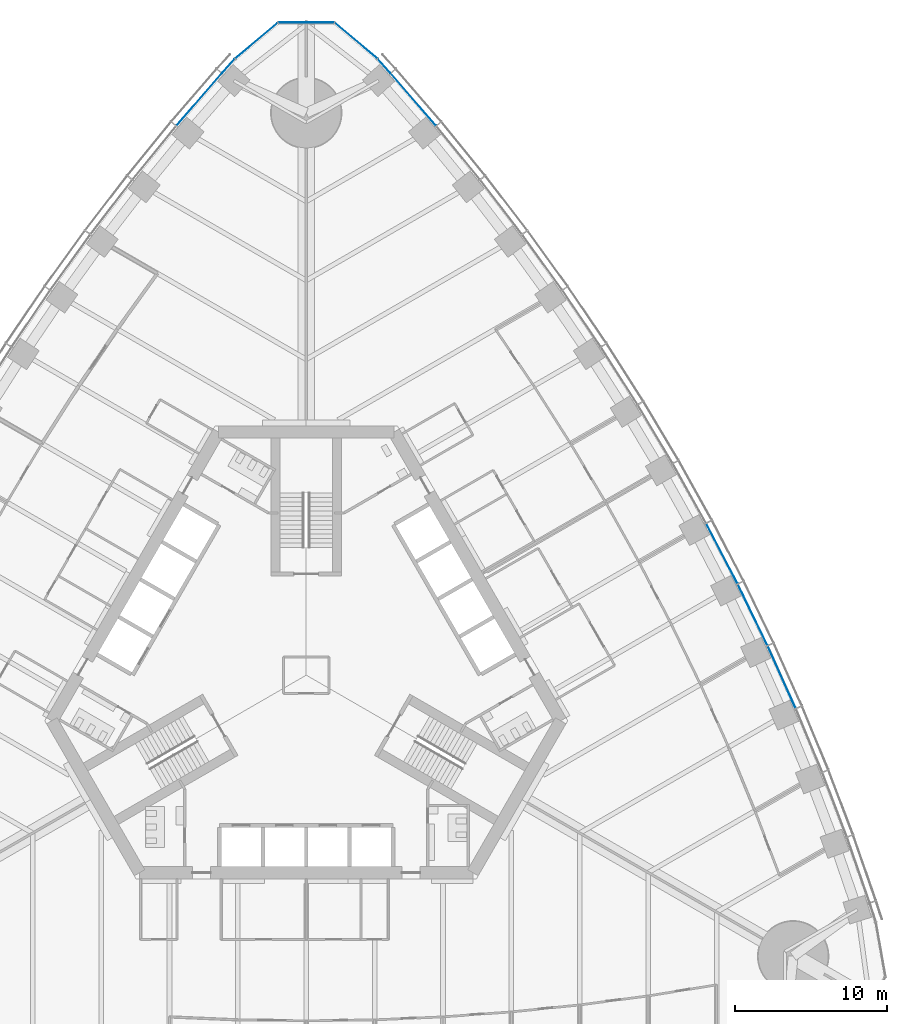
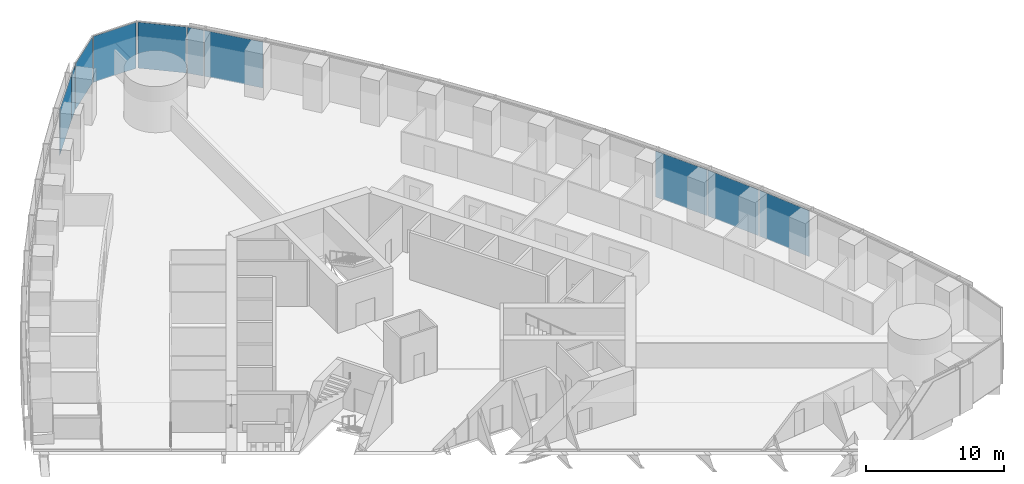
# One storey, part 9 of 19: 10 plates, 3 elements without a shape of their own.
"""IFC4 building model written with IfcOpenShell, lengths in metres."""

import ifcopenshell
import ifcopenshell.guid

model = None  # the IFC model being written
_history = None  # IfcOwnerHistory: only IFC2X3 demands one
_inside = {}  # id of a spatial element -> (the spatial element, [elements in it])
_under = {}  # id of a project, library or spatial element -> (it, [spatial elements below it])
_declared = {}  # id of a project -> (the project, [libraries it declares])
_typed = {}  # id of a type object -> (the type object, [elements of that type])
_made_of = {}  # id of a material, layer set ... -> (it, [elements and type objects made of it])


def new_model(schema):
    """Start an empty IFC model of exactly this schema.

    Asked for "IFC4X3", IfcOpenShell would pick the latest addendum, in which some entities
    have other attributes; the version numbers below select the first issue.
    IFC2X3 requires an IfcOwnerHistory on every rooted entity: one is made here for all.
    """
    global model, _history
    if schema == "IFC4X3":
        model = ifcopenshell.file(schema_version=(4, 3, 0, 0))
    else:
        model = ifcopenshell.file(schema=schema)
    _inside.clear()
    _under.clear()
    _declared.clear()
    _typed.clear()
    _made_of.clear()
    _history = None
    if model.schema == "IFC2X3":
        org = make("IfcOrganization", Name="unknown")
        user = make(
            "IfcPersonAndOrganization",
            ThePerson=make("IfcPerson", FamilyName="unknown"),
            TheOrganization=org,
        )
        app = make(
            "IfcApplication",
            ApplicationDeveloper=org,
            Version="unknown",
            ApplicationFullName="unknown",
            ApplicationIdentifier="unknown",
        )
        _history = make(
            "IfcOwnerHistory",
            OwningUser=user,
            OwningApplication=app,
            ChangeAction="ADDED",
            CreationDate=0,
        )
    return model


def make(cls, **values):
    """One entity of the class cls with the attributes given. An attribute that is None is left unset."""
    return model.create_entity(
        cls, **{name: value for name, value in values.items() if value is not None}
    )


def rooted(cls, **values):
    """An entity with a GlobalId (a new one), such as an element, a storey or a relation."""
    return make(cls, GlobalId=ifcopenshell.guid.new(), OwnerHistory=_history, **values)


def si_unit(unit_type, name, prefix=None):
    """IfcSIUnit, for example si_unit("LENGTHUNIT", "METRE", prefix="MILLI")."""
    return make("IfcSIUnit", UnitType=unit_type, Prefix=prefix, Name=name)


def assignment(units):
    """IfcUnitAssignment: the units of a project."""
    return None if units is None else make("IfcUnitAssignment", Units=units)


def point(xyz):
    """IfcCartesianPoint."""
    return None if xyz is None else make("IfcCartesianPoint", Coordinates=xyz)


def direction(xyz):
    """IfcDirection."""
    return None if xyz is None else make("IfcDirection", DirectionRatios=xyz)


def frame(location, z_axis=None, x_axis=None):
    """IfcAxis2Placement3D, a coordinate frame: its origin and axes. An axis left out is left unset."""
    return make(
        "IfcAxis2Placement3D",
        Location=point(location),
        Axis=direction(z_axis),
        RefDirection=direction(x_axis),
    )


def frame_2d(location, x_axis=None):
    """IfcAxis2Placement2D, a coordinate frame in the plane: its origin and x axis."""
    return make(
        "IfcAxis2Placement2D", Location=point(location), RefDirection=direction(x_axis)
    )


def origin():
    """The frame at (0, 0, 0) with its axes left unset."""
    return frame((0.0, 0.0, 0.0))


def origin_2d():
    """The frame at (0, 0) in the plane with its x axis left unset."""
    return frame_2d((0.0, 0.0))


def place(relative_to, where):
    """IfcLocalPlacement: puts the frame where relative to a parent placement (None: the world)."""
    return make(
        "IfcLocalPlacement", PlacementRelTo=relative_to, RelativePlacement=where
    )


def context(
    kind, dimensions, precision=None, world=None, true_north=None, identifier=None
):
    """IfcGeometricRepresentationContext, for example the 3D "Model" context."""
    return make(
        "IfcGeometricRepresentationContext",
        ContextIdentifier=identifier,
        ContextType=kind,
        CoordinateSpaceDimension=dimensions,
        Precision=precision,
        WorldCoordinateSystem=world,
        TrueNorth=true_north,
    )


def subcontext(parent, identifier, kind, view, scale=None):
    """IfcGeometricRepresentationSubContext, for example "Body" below "Model"."""
    return make(
        "IfcGeometricRepresentationSubContext",
        ContextIdentifier=identifier,
        ContextType=kind,
        ParentContext=parent,
        TargetScale=scale,
        TargetView=view,
    )


def project(units=None, contexts=None):
    """IfcProject with its units and contexts."""
    return rooted(
        "IfcProject",
        Name="project",
        RepresentationContexts=contexts,
        UnitsInContext=assignment(units),
    )


def spatial(cls, under=None, at=None, **own):
    """A site, building, storey or space (cls), placed at a placement, below another one or the project."""
    s = rooted(cls, ObjectPlacement=at, **own)
    if under is not None:
        _under.setdefault(under.id(), (under, []))[1].append(s)
    return s


def profile(cls, at=None, kind="AREA", **sizes):
    """A parametric profile (cls). Its sizes go by their IFC names, for example OverallWidth=200.0."""
    return make(cls, ProfileType=kind, Position=at, **sizes)


def rectangle(**sizes):
    """IfcRectangleProfileDef."""
    return profile("IfcRectangleProfileDef", **sizes)


def extrude(swept, where, along, depth):
    """IfcExtrudedAreaSolid: the profile swept, set in the frame where, extruded along a direction by depth."""
    return make(
        "IfcExtrudedAreaSolid",
        SweptArea=swept,
        Position=where,
        ExtrudedDirection=direction(along),
        Depth=depth,
    )


def shape(context_of_items, identifier, shape_type, items):
    """IfcShapeRepresentation: the items that make up one representation, for example the "Body"."""
    return make(
        "IfcShapeRepresentation",
        ContextOfItems=context_of_items,
        RepresentationIdentifier=identifier,
        RepresentationType=shape_type,
        Items=items,
    )


def material(Name=None, Category=None):
    """IfcMaterial."""
    return make("IfcMaterial", Name=Name, Category=Category)


def layer(
    of_material, thickness, ventilated=None, Name=None, Category=None, Priority=None
):
    """IfcMaterialLayer: one layer of a wall or slab, of a material (None: an air gap)."""
    return make(
        "IfcMaterialLayer",
        Material=of_material,
        LayerThickness=thickness,
        IsVentilated=ventilated,
        Name=Name,
        Category=Category,
        Priority=Priority,
    )


def layer_set(layers, Name=None):
    """IfcMaterialLayerSet."""
    return make("IfcMaterialLayerSet", MaterialLayers=layers, LayerSetName=Name)


def made_of(thing, what):
    """Note that an element or type object is made of a material, layer set ...; save() writes the relation."""
    if what is not None:
        _made_of.setdefault(what.id(), (what, []))[1].append(thing)
    return thing


def type_object(cls, material=None, **own):
    """A type object (cls), such as IfcWallType, which elements share."""
    return made_of(rooted(cls, **own), material)


def element(
    cls,
    number,
    at=None,
    inside=None,
    cuts=None,
    type_object=None,
    material=None,
    context=None,
    identifier="Body",
    shape_type=None,
    held_by="IfcProductDefinitionShape",
    body=None,
    shapes=None,
    **own,
):
    """One element of the class cls, such as IfcWall. Its Tag is "e" and its number.

    at: its placement. inside: the storey or other place that contains it. cuts: it is an
    opening in that element (IfcRelVoidsElement). A single representation is given by context,
    identifier, shape_type and body (its items); several are given by shapes. held_by: the class
    of the entity that holds the representations. save() writes the other relations.
    """
    e = rooted(cls, Tag="e%d" % number, ObjectPlacement=at, **own)
    if body is not None:
        shapes = [shape(context, identifier, shape_type, body)]
    if shapes is not None:
        e.Representation = make(held_by, Representations=shapes)
    if inside is not None:
        _inside.setdefault(inside.id(), (inside, []))[1].append(e)
    if cuts is not None:
        rooted(
            "IfcRelVoidsElement", RelatingBuildingElement=cuts, RelatedOpeningElement=e
        )
    if type_object is not None:
        _typed.setdefault(type_object.id(), (type_object, []))[1].append(e)
    return made_of(e, material)


def aggregate(whole, parts):
    """IfcRelAggregates: a whole, such as a stair, and the parts it consists of."""
    return rooted("IfcRelAggregates", RelatingObject=whole, RelatedObjects=parts)


def save(model, path):
    """Write the relations noted so far, then the file.

    IfcRelAggregates (storeys below a building ...), IfcRelContainedInSpatialStructure (elements
    in a storey), IfcRelDefinesByType, IfcRelAssociatesMaterial and IfcRelDeclares: one each for
    every whole, place, type object, material and project.
    """
    for whole, parts in _under.values():
        aggregate(whole, parts)
    for where, things in _inside.values():
        rooted(
            "IfcRelContainedInSpatialStructure",
            RelatedElements=things,
            RelatingStructure=where,
        )
    for kind, things in _typed.values():
        rooted("IfcRelDefinesByType", RelatedObjects=things, RelatingType=kind)
    for what, things in _made_of.values():
        rooted("IfcRelAssociatesMaterial", RelatedObjects=things, RelatingMaterial=what)
    for by, libraries in _declared.values():
        rooted("IfcRelDeclares", RelatingContext=by, RelatedDefinitions=libraries)
    model.write(path)


model = new_model("IFC4")

# Units and contexts
model_context = context("Model", 3, precision=1e-05, world=origin(), true_north=direction((0.0, 1.0)))
body_context = subcontext(model_context, "Body", "Model", "MODEL_VIEW")
ifc_project = project(units=[si_unit("LENGTHUNIT", "METRE"), si_unit("AREAUNIT", "SQUARE_METRE"), si_unit("VOLUMEUNIT", "CUBIC_METRE"), si_unit("PLANEANGLEUNIT", "RADIAN"), si_unit("MASSUNIT", "GRAM", prefix="KILO")], contexts=[model_context])

# Site, building, storey
site_placement = place(None, origin())
site = spatial("IfcSite", under=ifc_project, at=site_placement, CompositionType="ELEMENT")
building_placement = place(site_placement, origin())
building = spatial("IfcBuilding", under=site, at=building_placement, Name="Trefoil Bronze Tower", CompositionType="ELEMENT")
storey_placement = place(building_placement, frame((0.0, 0.0, 20.699951171875)))
storey = spatial("IfcBuildingStorey", under=building, at=storey_placement, Name="L04", CompositionType="ELEMENT", Elevation=20.699951171875)

# Curtain wall, plates
ifc_material_1 = material(Name="Tinted solar-control glass", Category="glass")
curtain_wall_type_1 = type_object("IfcCurtainWallType", Name="Bronze office curtain wall", PredefinedType="USERDEFINED", material=ifc_material_1)
curtain_wall_1_placement = place(storey_placement, origin())
curtain_wall_1 = element("IfcCurtainWall", 1, at=curtain_wall_1_placement, inside=storey, type_object=curtain_wall_type_1, Name="CW-A L04 F2", ObjectType="CURTAIN WALL", PredefinedType="USERDEFINED")
ifc_material_2 = material(Name="Tinted solar-control glass", Category="glass")
ifc_layer_1 = layer(ifc_material_2, 0.030029296875)
ifc_layer_set_1 = layer_set([ifc_layer_1], Name="Bronze office curtain wall glass panel")
plate_type_1 = type_object("IfcPlateType", Name="Bronze office curtain wall glass panel", PredefinedType="CURTAIN_PANEL", material=ifc_layer_set_1)
plate_1_placement = place(storey_placement, frame((31.28857421875, -0.1337890625, 0.0), z_axis=(0.0, 0.0, 1.0), x_axis=(-0.40945635808, 0.912329705111, 0.0)))
plate_1 = element("IfcPlate", 2, at=plate_1_placement, type_object=plate_type_1, Name="CW-A L04 F2 panel 5", PredefinedType="CURTAIN_PANEL", context=body_context, shape_type="SweptSolid", body=[
    extrude(rectangle(XDim=4.443359375, YDim=0.030029296875, at=origin_2d()), origin(), (0.0, 0.0, 1.0), 4.080078125),
])
plate_2_placement = place(storey_placement, frame((29.3779296875, 3.962646484375, 0.0), z_axis=(0.0, 0.0, 1.0), x_axis=(-0.4358553457, 0.900016731858, 0.0)))
plate_2 = element("IfcPlate", 3, at=plate_2_placement, type_object=plate_type_1, Name="CW-A L04 F2 panel 6", PredefinedType="CURTAIN_PANEL", context=body_context, shape_type="SweptSolid", body=[
    extrude(rectangle(XDim=4.431884765625, YDim=0.030029296875, at=origin_2d()), origin(), (0.0, 0.0, 1.0), 4.080078125),
])
plate_3_placement = place(storey_placement, frame((27.353271484375, 7.9931640625, 0.0), z_axis=(0.0, 0.0, 1.0), x_axis=(-0.46182981834, 0.886968555752, 0.0)))
plate_3 = element("IfcPlate", 4, at=plate_3_placement, type_object=plate_type_1, Name="CW-A L04 F2 panel 7", PredefinedType="CURTAIN_PANEL", context=body_context, shape_type="SweptSolid", body=[
    extrude(rectangle(XDim=4.42431640625, YDim=0.030029296875, at=origin_2d()), origin(), (0.0, 0.0, 1.0), 4.080078125),
])
plate_4_placement = place(storey_placement, frame((7.056396484375, 37.870849609375, 0.0), z_axis=(0.0, 0.0, 1.0), x_axis=(-0.654376090833, 0.756169248083, 0.0)))
plate_4 = element("IfcPlate", 5, at=plate_4_placement, type_object=plate_type_1, Name="CW-A L04 F2 panel 15", PredefinedType="CURTAIN_PANEL", context=body_context, shape_type="SweptSolid", body=[
    extrude(rectangle(XDim=4.502197265625, YDim=0.030029296875, at=origin_2d()), origin(), (0.0, 0.0, 1.0), 4.080078125),
])
plate_5_placement = place(storey_placement, frame((5.12451171875, 40.08447265625, 0.0), z_axis=(0.0, 0.0, 1.0), x_axis=(-0.668575006272, 0.743644714221, 0.0)))
plate_5 = element("IfcPlate", 6, at=plate_5_placement, type_object=plate_type_1, Name="CW-A L04 F2 panel 16", PredefinedType="CURTAIN_PANEL", context=body_context, shape_type="SweptSolid", body=[
    extrude(rectangle(XDim=1.21044921875, YDim=0.030029296875, at=origin_2d()), origin(), (0.0, 0.0, 1.0), 4.080078125),
])
aggregate(curtain_wall_1, [plate_1, plate_2, plate_3, plate_4, plate_5])

curtain_wall_2_placement = place(storey_placement, origin())
curtain_wall_2 = element("IfcCurtainWall", 7, at=curtain_wall_2_placement, inside=storey, type_object=curtain_wall_type_1, Name="CW-A L04 F3", ObjectType="CURTAIN WALL", PredefinedType="USERDEFINED")
plate_6_placement = place(storey_placement, frame((-5.12451171875, 40.08447265625, 0.0), z_axis=(0.0, 0.0, 1.0), x_axis=(-0.668575006272, -0.743644714221, 0.0)))
plate_6 = element("IfcPlate", 8, at=plate_6_placement, type_object=plate_type_1, Name="CW-A L04 F3 panel 1", PredefinedType="CURTAIN_PANEL", context=body_context, shape_type="SweptSolid", body=[
    extrude(rectangle(XDim=1.21044921875, YDim=0.030029296875, at=origin_2d()), origin(), (0.0, 0.0, 1.0), 4.080078125),
])
plate_7_placement = place(storey_placement, frame((-7.056396484375, 37.870849609375, 0.0), z_axis=(0.0, 0.0, 1.0), x_axis=(-0.654376090833, -0.756169248083, 0.0)))
plate_7 = element("IfcPlate", 9, at=plate_7_placement, type_object=plate_type_1, Name="CW-A L04 F3 panel 2", PredefinedType="CURTAIN_PANEL", context=body_context, shape_type="SweptSolid", body=[
    extrude(rectangle(XDim=4.502197265625, YDim=0.030029296875, at=origin_2d()), origin(), (0.0, 0.0, 1.0), 4.080078125),
])
aggregate(curtain_wall_2, [plate_6, plate_7])

ifc_material_3 = material(Name="Tinted solar-control glass", Category="glass")
curtain_wall_type_2 = type_object("IfcCurtainWallType", Name="Bronze rounded corner curtain wall", PredefinedType="USERDEFINED", material=ifc_material_3)
curtain_wall_3_placement = place(storey_placement, origin())
curtain_wall_3 = element("IfcCurtainWall", 10, at=curtain_wall_3_placement, inside=storey, type_object=curtain_wall_type_2, Name="CW-B L04 K2", ObjectType="CURTAIN WALL", PredefinedType="USERDEFINED")
ifc_material_4 = material(Name="Tinted solar-control glass", Category="glass")
ifc_layer_2 = layer(ifc_material_4, 0.030029296875)
ifc_layer_set_2 = layer_set([ifc_layer_2], Name="Bronze rounded corner curtain wall glass panel")
plate_type_2 = type_object("IfcPlateType", Name="Bronze rounded corner curtain wall glass panel", PredefinedType="CURTAIN_PANEL", material=ifc_layer_set_2)
plate_8_placement = place(storey_placement, frame((3.28564453125, 41.74658203125, 0.0), z_axis=(0.0, 0.0, 1.0), x_axis=(-0.766044443119, 0.642787609687, 0.0)))
plate_8 = element("IfcPlate", 11, at=plate_8_placement, type_object=plate_type_2, Name="CW-B L04 K2 panel 1", PredefinedType="CURTAIN_PANEL", context=body_context, shape_type="SweptSolid", body=[
    extrude(rectangle(XDim=3.588134765625, YDim=0.030029296875, at=origin_2d()), origin(), (0.0, 0.0, 1.0), 4.080078125),
])
plate_9_placement = place(storey_placement, frame((0.0, 42.9423828125, 0.0), z_axis=(0.0, 0.0, 1.0), x_axis=(-1.0, 0.0, 0.0)))
plate_9 = element("IfcPlate", 12, at=plate_9_placement, type_object=plate_type_2, Name="CW-B L04 K2 panel 2", PredefinedType="CURTAIN_PANEL", context=body_context, shape_type="SweptSolid", body=[
    extrude(rectangle(XDim=3.588134765625, YDim=0.030029296875, at=origin_2d()), origin(), (0.0, 0.0, 1.0), 4.080078125),
])
plate_10_placement = place(storey_placement, frame((-3.28564453125, 41.74658203125, 0.0), z_axis=(0.0, 0.0, 1.0), x_axis=(-0.766044443119, -0.642787609687, 0.0)))
plate_10 = element("IfcPlate", 13, at=plate_10_placement, type_object=plate_type_2, Name="CW-B L04 K2 panel 3", PredefinedType="CURTAIN_PANEL", context=body_context, shape_type="SweptSolid", body=[
    extrude(rectangle(XDim=3.588134765625, YDim=0.030029296875, at=origin_2d()), origin(), (0.0, 0.0, 1.0), 4.080078125),
])
aggregate(curtain_wall_3, [plate_8, plate_9, plate_10])

save(model, "model.ifc")
